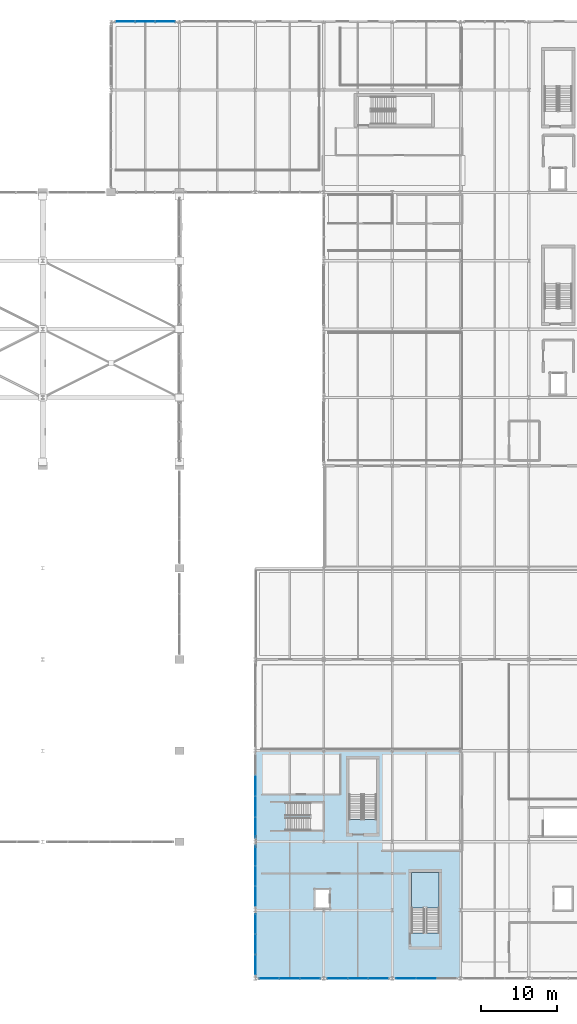
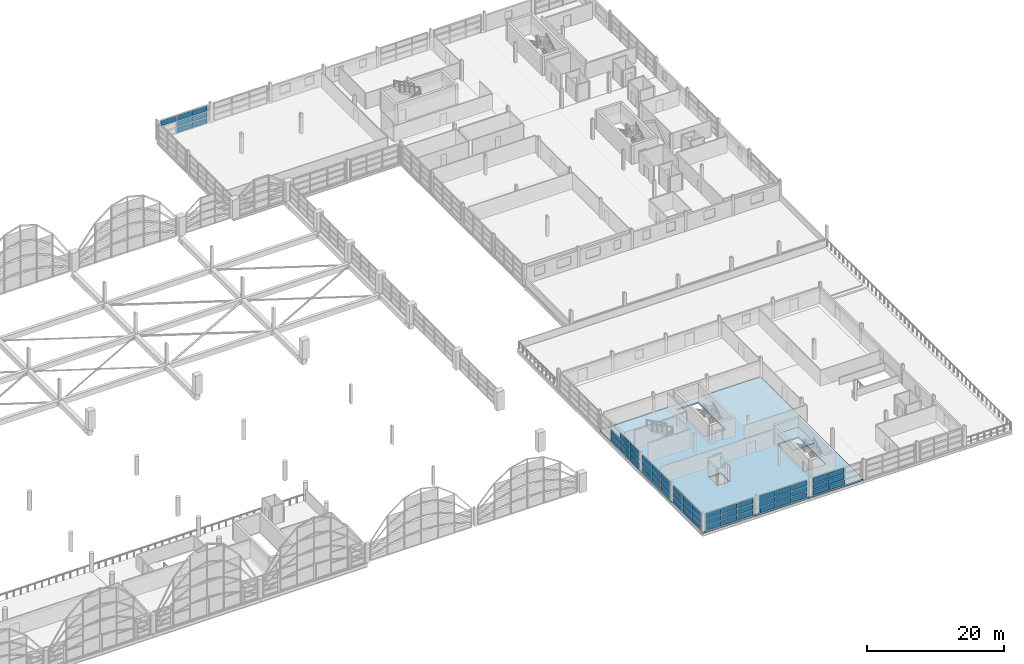
# One storey, part 93 of 116: 57 plates, 2 slabs, 8 elements without a shape of their own.
"""IFC4 building model written with IfcOpenShell, lengths in metres."""

import ifcopenshell
import ifcopenshell.guid

model = None  # the IFC model being written
_history = None  # IfcOwnerHistory: only IFC2X3 demands one
_inside = {}  # id of a spatial element -> (the spatial element, [elements in it])
_under = {}  # id of a project, library or spatial element -> (it, [spatial elements below it])
_declared = {}  # id of a project -> (the project, [libraries it declares])
_typed = {}  # id of a type object -> (the type object, [elements of that type])
_made_of = {}  # id of a material, layer set ... -> (it, [elements and type objects made of it])


def new_model(schema):
    """Start an empty IFC model of exactly this schema.

    Asked for "IFC4X3", IfcOpenShell would pick the latest addendum, in which some entities
    have other attributes; the version numbers below select the first issue.
    IFC2X3 requires an IfcOwnerHistory on every rooted entity: one is made here for all.
    """
    global model, _history
    if schema == "IFC4X3":
        model = ifcopenshell.file(schema_version=(4, 3, 0, 0))
    else:
        model = ifcopenshell.file(schema=schema)
    _inside.clear()
    _under.clear()
    _declared.clear()
    _typed.clear()
    _made_of.clear()
    _history = None
    if model.schema == "IFC2X3":
        org = make("IfcOrganization", Name="unknown")
        user = make(
            "IfcPersonAndOrganization",
            ThePerson=make("IfcPerson", FamilyName="unknown"),
            TheOrganization=org,
        )
        app = make(
            "IfcApplication",
            ApplicationDeveloper=org,
            Version="unknown",
            ApplicationFullName="unknown",
            ApplicationIdentifier="unknown",
        )
        _history = make(
            "IfcOwnerHistory",
            OwningUser=user,
            OwningApplication=app,
            ChangeAction="ADDED",
            CreationDate=0,
        )
    return model


def make(cls, **values):
    """One entity of the class cls with the attributes given. An attribute that is None is left unset."""
    return model.create_entity(
        cls, **{name: value for name, value in values.items() if value is not None}
    )


def rooted(cls, **values):
    """An entity with a GlobalId (a new one), such as an element, a storey or a relation."""
    return make(cls, GlobalId=ifcopenshell.guid.new(), OwnerHistory=_history, **values)


def si_unit(unit_type, name, prefix=None):
    """IfcSIUnit, for example si_unit("LENGTHUNIT", "METRE", prefix="MILLI")."""
    return make("IfcSIUnit", UnitType=unit_type, Prefix=prefix, Name=name)


def assignment(units):
    """IfcUnitAssignment: the units of a project."""
    return None if units is None else make("IfcUnitAssignment", Units=units)


def point(xyz):
    """IfcCartesianPoint."""
    return None if xyz is None else make("IfcCartesianPoint", Coordinates=xyz)


def direction(xyz):
    """IfcDirection."""
    return None if xyz is None else make("IfcDirection", DirectionRatios=xyz)


def frame(location, z_axis=None, x_axis=None):
    """IfcAxis2Placement3D, a coordinate frame: its origin and axes. An axis left out is left unset."""
    return make(
        "IfcAxis2Placement3D",
        Location=point(location),
        Axis=direction(z_axis),
        RefDirection=direction(x_axis),
    )


def frame_2d(location, x_axis=None):
    """IfcAxis2Placement2D, a coordinate frame in the plane: its origin and x axis."""
    return make(
        "IfcAxis2Placement2D", Location=point(location), RefDirection=direction(x_axis)
    )


def origin():
    """The frame at (0, 0, 0) with its axes left unset."""
    return frame((0.0, 0.0, 0.0))


def origin_2d():
    """The frame at (0, 0) in the plane with its x axis left unset."""
    return frame_2d((0.0, 0.0))


def place(relative_to, where):
    """IfcLocalPlacement: puts the frame where relative to a parent placement (None: the world)."""
    return make(
        "IfcLocalPlacement", PlacementRelTo=relative_to, RelativePlacement=where
    )


def context(
    kind, dimensions, precision=None, world=None, true_north=None, identifier=None
):
    """IfcGeometricRepresentationContext, for example the 3D "Model" context."""
    return make(
        "IfcGeometricRepresentationContext",
        ContextIdentifier=identifier,
        ContextType=kind,
        CoordinateSpaceDimension=dimensions,
        Precision=precision,
        WorldCoordinateSystem=world,
        TrueNorth=true_north,
    )


def subcontext(parent, identifier, kind, view, scale=None):
    """IfcGeometricRepresentationSubContext, for example "Body" below "Model"."""
    return make(
        "IfcGeometricRepresentationSubContext",
        ContextIdentifier=identifier,
        ContextType=kind,
        ParentContext=parent,
        TargetScale=scale,
        TargetView=view,
    )


def project(units=None, contexts=None):
    """IfcProject with its units and contexts."""
    return rooted(
        "IfcProject",
        Name="project",
        RepresentationContexts=contexts,
        UnitsInContext=assignment(units),
    )


def spatial(cls, under=None, at=None, **own):
    """A site, building, storey or space (cls), placed at a placement, below another one or the project."""
    s = rooted(cls, ObjectPlacement=at, **own)
    if under is not None:
        _under.setdefault(under.id(), (under, []))[1].append(s)
    return s


def polyline(points):
    """IfcPolyline through the points."""
    return make("IfcPolyline", Points=[point(p) for p in points])


def profile(cls, at=None, kind="AREA", **sizes):
    """A parametric profile (cls). Its sizes go by their IFC names, for example OverallWidth=200.0."""
    return make(cls, ProfileType=kind, Position=at, **sizes)


def rectangle(**sizes):
    """IfcRectangleProfileDef."""
    return profile("IfcRectangleProfileDef", **sizes)


def outline(outer, holes=None, kind="AREA"):
    """IfcArbitraryClosedProfileDef: a profile drawn as a closed curve; with holes, ...WithVoids."""
    if holes is None:
        return make("IfcArbitraryClosedProfileDef", ProfileType=kind, OuterCurve=outer)
    return make(
        "IfcArbitraryProfileDefWithVoids",
        ProfileType=kind,
        OuterCurve=outer,
        InnerCurves=holes,
    )


def extrude(swept, where, along, depth):
    """IfcExtrudedAreaSolid: the profile swept, set in the frame where, extruded along a direction by depth."""
    return make(
        "IfcExtrudedAreaSolid",
        SweptArea=swept,
        Position=where,
        ExtrudedDirection=direction(along),
        Depth=depth,
    )


def shape(context_of_items, identifier, shape_type, items):
    """IfcShapeRepresentation: the items that make up one representation, for example the "Body"."""
    return make(
        "IfcShapeRepresentation",
        ContextOfItems=context_of_items,
        RepresentationIdentifier=identifier,
        RepresentationType=shape_type,
        Items=items,
    )


def material(Name=None, Category=None):
    """IfcMaterial."""
    return make("IfcMaterial", Name=Name, Category=Category)


def layer(
    of_material, thickness, ventilated=None, Name=None, Category=None, Priority=None
):
    """IfcMaterialLayer: one layer of a wall or slab, of a material (None: an air gap)."""
    return make(
        "IfcMaterialLayer",
        Material=of_material,
        LayerThickness=thickness,
        IsVentilated=ventilated,
        Name=Name,
        Category=Category,
        Priority=Priority,
    )


def layer_set(layers, Name=None):
    """IfcMaterialLayerSet."""
    return make("IfcMaterialLayerSet", MaterialLayers=layers, LayerSetName=Name)


def made_of(thing, what):
    """Note that an element or type object is made of a material, layer set ...; save() writes the relation."""
    if what is not None:
        _made_of.setdefault(what.id(), (what, []))[1].append(thing)
    return thing


def type_object(cls, material=None, **own):
    """A type object (cls), such as IfcWallType, which elements share."""
    return made_of(rooted(cls, **own), material)


def element(
    cls,
    number,
    at=None,
    inside=None,
    cuts=None,
    type_object=None,
    material=None,
    context=None,
    identifier="Body",
    shape_type=None,
    held_by="IfcProductDefinitionShape",
    body=None,
    shapes=None,
    **own,
):
    """One element of the class cls, such as IfcWall. Its Tag is "e" and its number.

    at: its placement. inside: the storey or other place that contains it. cuts: it is an
    opening in that element (IfcRelVoidsElement). A single representation is given by context,
    identifier, shape_type and body (its items); several are given by shapes. held_by: the class
    of the entity that holds the representations. save() writes the other relations.
    """
    e = rooted(cls, Tag="e%d" % number, ObjectPlacement=at, **own)
    if body is not None:
        shapes = [shape(context, identifier, shape_type, body)]
    if shapes is not None:
        e.Representation = make(held_by, Representations=shapes)
    if inside is not None:
        _inside.setdefault(inside.id(), (inside, []))[1].append(e)
    if cuts is not None:
        rooted(
            "IfcRelVoidsElement", RelatingBuildingElement=cuts, RelatedOpeningElement=e
        )
    if type_object is not None:
        _typed.setdefault(type_object.id(), (type_object, []))[1].append(e)
    return made_of(e, material)


def aggregate(whole, parts):
    """IfcRelAggregates: a whole, such as a stair, and the parts it consists of."""
    return rooted("IfcRelAggregates", RelatingObject=whole, RelatedObjects=parts)


def save(model, path):
    """Write the relations noted so far, then the file.

    IfcRelAggregates (storeys below a building ...), IfcRelContainedInSpatialStructure (elements
    in a storey), IfcRelDefinesByType, IfcRelAssociatesMaterial and IfcRelDeclares: one each for
    every whole, place, type object, material and project.
    """
    for whole, parts in _under.values():
        aggregate(whole, parts)
    for where, things in _inside.values():
        rooted(
            "IfcRelContainedInSpatialStructure",
            RelatedElements=things,
            RelatingStructure=where,
        )
    for kind, things in _typed.values():
        rooted("IfcRelDefinesByType", RelatedObjects=things, RelatingType=kind)
    for what, things in _made_of.values():
        rooted("IfcRelAssociatesMaterial", RelatedObjects=things, RelatingMaterial=what)
    for by, libraries in _declared.values():
        rooted("IfcRelDeclares", RelatingContext=by, RelatedDefinitions=libraries)
    model.write(path)


model = new_model("IFC4")

# Units and contexts
model_context = context("Model", 3, precision=1e-05, world=origin(), true_north=direction((0.0, 1.0)))
body_context = subcontext(model_context, "Body", "Model", "MODEL_VIEW")
ifc_project = project(units=[si_unit("LENGTHUNIT", "METRE"), si_unit("AREAUNIT", "SQUARE_METRE"), si_unit("VOLUMEUNIT", "CUBIC_METRE"), si_unit("PLANEANGLEUNIT", "RADIAN"), si_unit("MASSUNIT", "GRAM", prefix="KILO")], contexts=[model_context])

# Site, building, storey
site_placement = place(None, origin())
site = spatial("IfcSite", under=ifc_project, at=site_placement, CompositionType="ELEMENT")
building_placement = place(site_placement, origin())
building = spatial("IfcBuilding", under=site, at=building_placement, Name="Chuanluo Vaults Station", CompositionType="ELEMENT")
storey_placement = place(building_placement, frame((0.0, 0.0, 10.800048828125)))
storey = spatial("IfcBuildingStorey", under=building, at=storey_placement, Name="L02", CompositionType="ELEMENT", Elevation=10.800048828125)

# Curtain wall, plates
ifc_material_1 = material(Name="Anodised aluminium 6063-T6", Category="aluminium")
curtain_wall_type_1 = type_object("IfcCurtainWallType", Name="CW-SYS-21", PredefinedType="NOTDEFINED", material=ifc_material_1)
curtain_wall_1_placement = place(storey_placement, origin())
curtain_wall_1 = element("IfcCurtainWall", 1, at=curtain_wall_1_placement, inside=storey, type_object=curtain_wall_type_1, Name="Retail pavilion L02 facade CW", PredefinedType="NOTDEFINED")
ifc_material_2 = material(Name="Ceramic-fritted spandrel glass", Category="glass")
ifc_layer_1 = layer(ifc_material_2, 0.06396484375)
ifc_layer_set_1 = layer_set([ifc_layer_1], Name="Ceramic-fritted spandrel glass")
plate_type_1 = type_object("IfcPlateType", Name="CWP-SPN-42", PredefinedType="SHEET", material=ifc_layer_set_1)
plate_1_placement = place(storey_placement, frame((136.0, 1.816650390625, 0.079833984375), z_axis=(0.0, 0.0, 1.0), x_axis=(0.0, 1.0, 0.0)))
plate_1 = element("IfcPlate", 2, at=plate_1_placement, type_object=plate_type_1, Name="Retail pavilion L02 facade CW glazed panel 1.1", PredefinedType="SHEET", context=body_context, shape_type="SweptSolid", body=[
    extrude(rectangle(XDim=2.523193359375, YDim=0.06396484375, at=origin_2d()), origin(), (0.0, 0.0, 1.0), 0.90673828125),
])
plate_2_placement = place(storey_placement, frame((136.0, 4.5, 0.079833984375), z_axis=(0.0, 0.0, 1.0), x_axis=(0.0, 1.0, 0.0)))
plate_2 = element("IfcPlate", 3, at=plate_2_placement, type_object=plate_type_1, Name="Retail pavilion L02 facade CW glazed panel 2.1", PredefinedType="SHEET", context=body_context, shape_type="SweptSolid", body=[
    extrude(rectangle(XDim=2.523193359375, YDim=0.06396484375, at=origin_2d()), origin(), (0.0, 0.0, 1.0), 0.90673828125),
])
plate_3_placement = place(storey_placement, frame((136.0, 7.183349609375, 0.079833984375), z_axis=(0.0, 0.0, 1.0), x_axis=(0.0, 1.0, 0.0)))
plate_3 = element("IfcPlate", 4, at=plate_3_placement, type_object=plate_type_1, Name="Retail pavilion L02 facade CW glazed panel 3.1", PredefinedType="SHEET", context=body_context, shape_type="SweptSolid", body=[
    extrude(rectangle(XDim=2.523193359375, YDim=0.06396484375, at=origin_2d()), origin(), (0.0, 0.0, 1.0), 0.90673828125),
])

ifc_material_3 = material(Name="Anodised aluminium 6063-T6", Category="aluminium")
curtain_wall_type_2 = type_object("IfcCurtainWallType", Name="CW-SYS-23", PredefinedType="NOTDEFINED", material=ifc_material_3)
curtain_wall_2_placement = place(storey_placement, origin())
curtain_wall_2 = element("IfcCurtainWall", 5, at=curtain_wall_2_placement, inside=storey, type_object=curtain_wall_type_2, Name="Retail pavilion L02 facade CW", PredefinedType="NOTDEFINED")
plate_4_placement = place(storey_placement, frame((136.0, 19.856201171875, 0.079833984375), z_axis=(0.0, 0.0, 1.0), x_axis=(0.0, 1.0, 0.0)))
plate_4 = element("IfcPlate", 6, at=plate_4_placement, type_object=plate_type_1, Name="Retail pavilion L02 facade CW glazed panel 1.1", PredefinedType="SHEET", context=body_context, shape_type="SweptSolid", body=[
    extrude(rectangle(XDim=2.6025390625, YDim=0.06396484375, at=origin_2d()), origin(), (0.0, 0.0, 1.0), 0.90673828125),
])
plate_5_placement = place(storey_placement, frame((136.0, 22.61865234375, 0.079833984375), z_axis=(0.0, 0.0, 1.0), x_axis=(0.0, 1.0, 0.0)))
plate_5 = element("IfcPlate", 7, at=plate_5_placement, type_object=plate_type_1, Name="Retail pavilion L02 facade CW glazed panel 2.1", PredefinedType="SHEET", context=body_context, shape_type="SweptSolid", body=[
    extrude(rectangle(XDim=2.6025390625, YDim=0.06396484375, at=origin_2d()), origin(), (0.0, 0.0, 1.0), 0.90673828125),
])
plate_6_placement = place(storey_placement, frame((136.0, 25.38134765625, 0.079833984375), z_axis=(0.0, 0.0, 1.0), x_axis=(0.0, 1.0, 0.0)))
plate_6 = element("IfcPlate", 8, at=plate_6_placement, type_object=plate_type_1, Name="Retail pavilion L02 facade CW glazed panel 3.1", PredefinedType="SHEET", context=body_context, shape_type="SweptSolid", body=[
    extrude(rectangle(XDim=2.6025390625, YDim=0.06396484375, at=origin_2d()), origin(), (0.0, 0.0, 1.0), 0.90673828125),
])

ifc_material_4 = material(Name="Anodised aluminium 6063-T6", Category="aluminium")
curtain_wall_type_3 = type_object("IfcCurtainWallType", Name="CW-SYS-25", PredefinedType="NOTDEFINED", material=ifc_material_4)
curtain_wall_3_placement = place(storey_placement, origin())
curtain_wall_3 = element("IfcCurtainWall", 9, at=curtain_wall_3_placement, inside=storey, type_object=curtain_wall_type_3, Name="Retail pavilion L02 facade CW", PredefinedType="NOTDEFINED")
plate_7_placement = place(storey_placement, frame((143.183349609375, 0.0, 0.079833984375), z_axis=(0.0, 0.0, 1.0), x_axis=(-1.0, 0.0, 0.0)))
plate_7 = element("IfcPlate", 10, at=plate_7_placement, type_object=plate_type_1, Name="Retail pavilion L02 facade CW glazed panel 1.1", PredefinedType="SHEET", context=body_context, shape_type="SweptSolid", body=[
    extrude(rectangle(XDim=2.523193359375, YDim=0.06396484375, at=origin_2d()), origin(), (0.0, 0.0, 1.0), 0.90673828125),
])
plate_8_placement = place(storey_placement, frame((140.5, 0.0, 0.079833984375), z_axis=(0.0, 0.0, 1.0), x_axis=(-1.0, 0.0, 0.0)))
plate_8 = element("IfcPlate", 11, at=plate_8_placement, type_object=plate_type_1, Name="Retail pavilion L02 facade CW glazed panel 2.1", PredefinedType="SHEET", context=body_context, shape_type="SweptSolid", body=[
    extrude(rectangle(XDim=2.523193359375, YDim=0.06396484375, at=origin_2d()), origin(), (0.0, 0.0, 1.0), 0.90673828125),
])
plate_9_placement = place(storey_placement, frame((137.816650390625, 0.0, 0.079833984375), z_axis=(0.0, 0.0, 1.0), x_axis=(-1.0, 0.0, 0.0)))
plate_9 = element("IfcPlate", 12, at=plate_9_placement, type_object=plate_type_1, Name="Retail pavilion L02 facade CW glazed panel 3.1", PredefinedType="SHEET", context=body_context, shape_type="SweptSolid", body=[
    extrude(rectangle(XDim=2.523193359375, YDim=0.06396484375, at=origin_2d()), origin(), (0.0, 0.0, 1.0), 0.90673828125),
])

ifc_material_5 = material(Name="Anodised aluminium 6063-T6", Category="aluminium")
curtain_wall_type_4 = type_object("IfcCurtainWallType", Name="CW-SYS-27", PredefinedType="NOTDEFINED", material=ifc_material_5)
curtain_wall_4_placement = place(storey_placement, origin())
curtain_wall_4 = element("IfcCurtainWall", 13, at=curtain_wall_4_placement, inside=storey, type_object=curtain_wall_type_4, Name="Retail pavilion L02 facade CW", PredefinedType="NOTDEFINED")
plate_10_placement = place(storey_placement, frame((158.5, 0.0, 0.079833984375), z_axis=(0.0, 0.0, 1.0), x_axis=(-1.0, 0.0, 0.0)))
plate_10 = element("IfcPlate", 14, at=plate_10_placement, type_object=plate_type_1, Name="Retail pavilion L02 facade CW glazed panel 2.1", PredefinedType="SHEET", context=body_context, shape_type="SweptSolid", body=[
    extrude(rectangle(XDim=2.523193359375, YDim=0.06396484375, at=origin_2d()), origin(), (0.0, 0.0, 1.0), 0.90673828125),
])
plate_11_placement = place(storey_placement, frame((155.816650390625, 0.0, 0.079833984375), z_axis=(0.0, 0.0, 1.0), x_axis=(-1.0, 0.0, 0.0)))
plate_11 = element("IfcPlate", 15, at=plate_11_placement, type_object=plate_type_1, Name="Retail pavilion L02 facade CW glazed panel 3.1", PredefinedType="SHEET", context=body_context, shape_type="SweptSolid", body=[
    extrude(rectangle(XDim=2.523193359375, YDim=0.06396484375, at=origin_2d()), origin(), (0.0, 0.0, 1.0), 0.90673828125),
])

ifc_material_6 = material(Name="Anodised aluminium 6063-T6", Category="aluminium")
curtain_wall_type_5 = type_object("IfcCurtainWallType", Name="CW-SYS-22", PredefinedType="NOTDEFINED", material=ifc_material_6)
curtain_wall_5_placement = place(storey_placement, origin())
curtain_wall_5 = element("IfcCurtainWall", 16, at=curtain_wall_5_placement, inside=storey, type_object=curtain_wall_type_5, Name="Retail pavilion L02 facade CW", PredefinedType="NOTDEFINED")
ifc_material_7 = material(Name="Ceramic-fritted spandrel glass", Category="glass")
ifc_layer_2 = layer(ifc_material_7, 0.070068359375)
ifc_layer_set_2 = layer_set([ifc_layer_2], Name="Ceramic-fritted spandrel glass")
plate_type_2 = type_object("IfcPlateType", Name="CWP-SPN-50", PredefinedType="SHEET", material=ifc_layer_set_2)
plate_12_placement = place(storey_placement, frame((136.0, 10.816650390625, 0.079833984375), z_axis=(0.0, 0.0, 1.0), x_axis=(0.0, 1.0, 0.0)))
plate_12 = element("IfcPlate", 17, at=plate_12_placement, type_object=plate_type_2, Name="Retail pavilion L02 facade CW glazed panel 1.1", PredefinedType="SHEET", context=body_context, shape_type="SweptSolid", body=[
    extrude(rectangle(XDim=2.523193359375, YDim=0.070068359375, at=origin_2d()), origin(), (0.0, 0.0, 1.0), 0.90673828125),
])
plate_13_placement = place(storey_placement, frame((136.0, 13.5, 0.079833984375), z_axis=(0.0, 0.0, 1.0), x_axis=(0.0, 1.0, 0.0)))
plate_13 = element("IfcPlate", 18, at=plate_13_placement, type_object=plate_type_2, Name="Retail pavilion L02 facade CW glazed panel 2.1", PredefinedType="SHEET", context=body_context, shape_type="SweptSolid", body=[
    extrude(rectangle(XDim=2.523193359375, YDim=0.070068359375, at=origin_2d()), origin(), (0.0, 0.0, 1.0), 0.90673828125),
])
plate_14_placement = place(storey_placement, frame((136.0, 16.183349609375, 0.079833984375), z_axis=(0.0, 0.0, 1.0), x_axis=(0.0, 1.0, 0.0)))
plate_14 = element("IfcPlate", 19, at=plate_14_placement, type_object=plate_type_2, Name="Retail pavilion L02 facade CW glazed panel 3.1", PredefinedType="SHEET", context=body_context, shape_type="SweptSolid", body=[
    extrude(rectangle(XDim=2.523193359375, YDim=0.070068359375, at=origin_2d()), origin(), (0.0, 0.0, 1.0), 0.90673828125),
])

ifc_material_8 = material(Name="Anodised aluminium 6063-T6", Category="aluminium")
curtain_wall_type_6 = type_object("IfcCurtainWallType", Name="CW-SYS-26", PredefinedType="NOTDEFINED", material=ifc_material_8)
curtain_wall_6_placement = place(storey_placement, origin())
curtain_wall_6 = element("IfcCurtainWall", 20, at=curtain_wall_6_placement, inside=storey, type_object=curtain_wall_type_6, Name="Retail pavilion L02 facade CW", PredefinedType="NOTDEFINED")
plate_15_placement = place(storey_placement, frame((152.183349609375, 0.0, 0.079833984375), z_axis=(0.0, 0.0, 1.0), x_axis=(-1.0, 0.0, 0.0)))
plate_15 = element("IfcPlate", 21, at=plate_15_placement, type_object=plate_type_2, Name="Retail pavilion L02 facade CW glazed panel 1.1", PredefinedType="SHEET", context=body_context, shape_type="SweptSolid", body=[
    extrude(rectangle(XDim=2.523193359375, YDim=0.070068359375, at=origin_2d()), origin(), (0.0, 0.0, 1.0), 0.90673828125),
])
plate_16_placement = place(storey_placement, frame((149.5, 0.0, 0.079833984375), z_axis=(0.0, 0.0, 1.0), x_axis=(-1.0, 0.0, 0.0)))
plate_16 = element("IfcPlate", 22, at=plate_16_placement, type_object=plate_type_2, Name="Retail pavilion L02 facade CW glazed panel 2.1", PredefinedType="SHEET", context=body_context, shape_type="SweptSolid", body=[
    extrude(rectangle(XDim=2.523193359375, YDim=0.070068359375, at=origin_2d()), origin(), (0.0, 0.0, 1.0), 0.90673828125),
])
plate_17_placement = place(storey_placement, frame((146.816650390625, 0.0, 0.079833984375), z_axis=(0.0, 0.0, 1.0), x_axis=(-1.0, 0.0, 0.0)))
plate_17 = element("IfcPlate", 23, at=plate_17_placement, type_object=plate_type_2, Name="Retail pavilion L02 facade CW glazed panel 3.1", PredefinedType="SHEET", context=body_context, shape_type="SweptSolid", body=[
    extrude(rectangle(XDim=2.523193359375, YDim=0.070068359375, at=origin_2d()), origin(), (0.0, 0.0, 1.0), 0.90673828125),
])

ifc_material_9 = material(Name="Anodised aluminium 6063-T6", Category="aluminium")
curtain_wall_type_7 = type_object("IfcCurtainWallType", Name="CW-SYS-10", PredefinedType="NOTDEFINED", material=ifc_material_9)
curtain_wall_7_placement = place(storey_placement, origin())
curtain_wall_7 = element("IfcCurtainWall", 24, at=curtain_wall_7_placement, inside=storey, type_object=curtain_wall_type_7, Name="Operations L02 facade CW", PredefinedType="NOTDEFINED")
plate_18_placement = place(storey_placement, frame((121.5, 126.0, 0.079833984375), z_axis=(0.0, 0.0, 1.0), x_axis=(1.0, 0.0, 0.0)))
plate_18 = element("IfcPlate", 25, at=plate_18_placement, type_object=plate_type_2, Name="Operations L02 facade CW glazed panel 2.1", PredefinedType="SHEET", context=body_context, shape_type="SweptSolid", body=[
    extrude(rectangle(XDim=2.489990234375, YDim=0.070068359375, at=origin_2d()), origin(), (0.0, 0.0, 1.0), 0.90673828125),
])
plate_19_placement = place(storey_placement, frame((124.14990234375, 126.0, 0.079833984375), z_axis=(0.0, 0.0, 1.0), x_axis=(1.0, 0.0, 0.0)))
plate_19 = element("IfcPlate", 26, at=plate_19_placement, type_object=plate_type_2, Name="Operations L02 facade CW glazed panel 3.1", PredefinedType="SHEET", context=body_context, shape_type="SweptSolid", body=[
    extrude(rectangle(XDim=2.489990234375, YDim=0.070068359375, at=origin_2d()), origin(), (0.0, 0.0, 1.0), 0.90673828125),
])

# Plate
ifc_material_10 = material(Name="Double-silver Low-E laminated glass", Category="glass")
ifc_layer_3 = layer(ifc_material_10, 0.048095703125)
ifc_layer_set_3 = layer_set([ifc_layer_3], Name="Double-silver Low-E laminated glass")
plate_type_3 = type_object("IfcPlateType", Name="CWP-VIS-32", PredefinedType="CURTAIN_PANEL", material=ifc_layer_set_3)
plate_20_placement = place(storey_placement, frame((136.0, 19.856201171875, 1.146484375), z_axis=(0.0, 0.0, 1.0), x_axis=(0.0, 1.0, 0.0)))
plate_20 = element("IfcPlate", 27, at=plate_20_placement, type_object=plate_type_3, Name="Retail pavilion L02 facade CW glazed panel 1.2", PredefinedType="CURTAIN_PANEL", context=body_context, shape_type="SweptSolid", body=[
    extrude(rectangle(XDim=2.6025390625, YDim=0.048095703125, at=origin_2d()), origin(), (0.0, 0.0, 1.0), 0.906494140625),
])

plate_21_placement = place(storey_placement, frame((136.0, 19.856201171875, 2.213134765625), z_axis=(0.0, 0.0, 1.0), x_axis=(0.0, 1.0, 0.0)))
plate_21 = element("IfcPlate", 28, at=plate_21_placement, type_object=plate_type_3, Name="Retail pavilion L02 facade CW glazed panel 1.3", PredefinedType="CURTAIN_PANEL", context=body_context, shape_type="SweptSolid", body=[
    extrude(rectangle(XDim=2.6025390625, YDim=0.048095703125, at=origin_2d()), origin(), (0.0, 0.0, 1.0), 0.90673828125),
])

plate_22_placement = place(storey_placement, frame((136.0, 22.61865234375, 1.146484375), z_axis=(0.0, 0.0, 1.0), x_axis=(0.0, 1.0, 0.0)))
plate_22 = element("IfcPlate", 29, at=plate_22_placement, type_object=plate_type_3, Name="Retail pavilion L02 facade CW glazed panel 2.2", PredefinedType="CURTAIN_PANEL", context=body_context, shape_type="SweptSolid", body=[
    extrude(rectangle(XDim=2.6025390625, YDim=0.048095703125, at=origin_2d()), origin(), (0.0, 0.0, 1.0), 0.906494140625),
])

plate_23_placement = place(storey_placement, frame((136.0, 22.61865234375, 2.213134765625), z_axis=(0.0, 0.0, 1.0), x_axis=(0.0, 1.0, 0.0)))
plate_23 = element("IfcPlate", 30, at=plate_23_placement, type_object=plate_type_3, Name="Retail pavilion L02 facade CW glazed panel 2.3", PredefinedType="CURTAIN_PANEL", context=body_context, shape_type="SweptSolid", body=[
    extrude(rectangle(XDim=2.6025390625, YDim=0.048095703125, at=origin_2d()), origin(), (0.0, 0.0, 1.0), 0.90673828125),
])

plate_24_placement = place(storey_placement, frame((136.0, 25.38134765625, 1.146484375), z_axis=(0.0, 0.0, 1.0), x_axis=(0.0, 1.0, 0.0)))
plate_24 = element("IfcPlate", 31, at=plate_24_placement, type_object=plate_type_3, Name="Retail pavilion L02 facade CW glazed panel 3.2", PredefinedType="CURTAIN_PANEL", context=body_context, shape_type="SweptSolid", body=[
    extrude(rectangle(XDim=2.6025390625, YDim=0.048095703125, at=origin_2d()), origin(), (0.0, 0.0, 1.0), 0.906494140625),
])

aggregate(curtain_wall_2, [plate_4, plate_20, plate_21, plate_5, plate_22, plate_23, plate_6, plate_24])

plate_25_placement = place(storey_placement, frame((158.5, 0.0, 1.146484375), z_axis=(0.0, 0.0, 1.0), x_axis=(-1.0, 0.0, 0.0)))
plate_25 = element("IfcPlate", 32, at=plate_25_placement, type_object=plate_type_3, Name="Retail pavilion L02 facade CW glazed panel 2.2", PredefinedType="CURTAIN_PANEL", context=body_context, shape_type="SweptSolid", body=[
    extrude(rectangle(XDim=2.523193359375, YDim=0.048095703125, at=origin_2d()), origin(), (0.0, 0.0, 1.0), 0.906494140625),
])

plate_26_placement = place(storey_placement, frame((158.5, 0.0, 2.213134765625), z_axis=(0.0, 0.0, 1.0), x_axis=(-1.0, 0.0, 0.0)))
plate_26 = element("IfcPlate", 33, at=plate_26_placement, type_object=plate_type_3, Name="Retail pavilion L02 facade CW glazed panel 2.3", PredefinedType="CURTAIN_PANEL", context=body_context, shape_type="SweptSolid", body=[
    extrude(rectangle(XDim=2.523193359375, YDim=0.048095703125, at=origin_2d()), origin(), (0.0, 0.0, 1.0), 0.90673828125),
])

plate_27_placement = place(storey_placement, frame((155.816650390625, 0.0, 1.146484375), z_axis=(0.0, 0.0, 1.0), x_axis=(-1.0, 0.0, 0.0)))
plate_27 = element("IfcPlate", 34, at=plate_27_placement, type_object=plate_type_3, Name="Retail pavilion L02 facade CW glazed panel 3.2", PredefinedType="CURTAIN_PANEL", context=body_context, shape_type="SweptSolid", body=[
    extrude(rectangle(XDim=2.523193359375, YDim=0.048095703125, at=origin_2d()), origin(), (0.0, 0.0, 1.0), 0.906494140625),
])

plate_28_placement = place(storey_placement, frame((155.816650390625, 0.0, 2.213134765625), z_axis=(0.0, 0.0, 1.0), x_axis=(-1.0, 0.0, 0.0)))
plate_28 = element("IfcPlate", 35, at=plate_28_placement, type_object=plate_type_3, Name="Retail pavilion L02 facade CW glazed panel 3.3", PredefinedType="CURTAIN_PANEL", context=body_context, shape_type="SweptSolid", body=[
    extrude(rectangle(XDim=2.523193359375, YDim=0.048095703125, at=origin_2d()), origin(), (0.0, 0.0, 1.0), 0.90673828125),
])

aggregate(curtain_wall_4, [plate_10, plate_25, plate_26, plate_11, plate_27, plate_28])

ifc_material_11 = material(Name="Double-silver Low-E laminated glass", Category="glass")
ifc_layer_4 = layer(ifc_material_11, 0.053955078125)
ifc_layer_set_4 = layer_set([ifc_layer_4], Name="Double-silver Low-E laminated glass")
plate_type_4 = type_object("IfcPlateType", Name="CWP-VIS-36", PredefinedType="CURTAIN_PANEL", material=ifc_layer_set_4)
plate_29_placement = place(storey_placement, frame((136.0, 10.816650390625, 1.146484375), z_axis=(0.0, 0.0, 1.0), x_axis=(0.0, 1.0, 0.0)))
plate_29 = element("IfcPlate", 36, at=plate_29_placement, type_object=plate_type_4, Name="Retail pavilion L02 facade CW glazed panel 1.2", PredefinedType="CURTAIN_PANEL", context=body_context, shape_type="SweptSolid", body=[
    extrude(rectangle(XDim=2.523193359375, YDim=0.053955078125, at=origin_2d()), origin(), (0.0, 0.0, 1.0), 0.906494140625),
])

plate_30_placement = place(storey_placement, frame((136.0, 10.816650390625, 2.213134765625), z_axis=(0.0, 0.0, 1.0), x_axis=(0.0, 1.0, 0.0)))
plate_30 = element("IfcPlate", 37, at=plate_30_placement, type_object=plate_type_4, Name="Retail pavilion L02 facade CW glazed panel 1.3", PredefinedType="CURTAIN_PANEL", context=body_context, shape_type="SweptSolid", body=[
    extrude(rectangle(XDim=2.523193359375, YDim=0.053955078125, at=origin_2d()), origin(), (0.0, 0.0, 1.0), 0.90673828125),
])

plate_31_placement = place(storey_placement, frame((136.0, 13.5, 1.146484375), z_axis=(0.0, 0.0, 1.0), x_axis=(0.0, 1.0, 0.0)))
plate_31 = element("IfcPlate", 38, at=plate_31_placement, type_object=plate_type_4, Name="Retail pavilion L02 facade CW glazed panel 2.2", PredefinedType="CURTAIN_PANEL", context=body_context, shape_type="SweptSolid", body=[
    extrude(rectangle(XDim=2.523193359375, YDim=0.053955078125, at=origin_2d()), origin(), (0.0, 0.0, 1.0), 0.906494140625),
])

plate_32_placement = place(storey_placement, frame((136.0, 13.5, 2.213134765625), z_axis=(0.0, 0.0, 1.0), x_axis=(0.0, 1.0, 0.0)))
plate_32 = element("IfcPlate", 39, at=plate_32_placement, type_object=plate_type_4, Name="Retail pavilion L02 facade CW glazed panel 2.3", PredefinedType="CURTAIN_PANEL", context=body_context, shape_type="SweptSolid", body=[
    extrude(rectangle(XDim=2.523193359375, YDim=0.053955078125, at=origin_2d()), origin(), (0.0, 0.0, 1.0), 0.90673828125),
])

plate_33_placement = place(storey_placement, frame((136.0, 16.183349609375, 1.146484375), z_axis=(0.0, 0.0, 1.0), x_axis=(0.0, 1.0, 0.0)))
plate_33 = element("IfcPlate", 40, at=plate_33_placement, type_object=plate_type_4, Name="Retail pavilion L02 facade CW glazed panel 3.2", PredefinedType="CURTAIN_PANEL", context=body_context, shape_type="SweptSolid", body=[
    extrude(rectangle(XDim=2.523193359375, YDim=0.053955078125, at=origin_2d()), origin(), (0.0, 0.0, 1.0), 0.906494140625),
])

plate_34_placement = place(storey_placement, frame((136.0, 16.183349609375, 2.213134765625), z_axis=(0.0, 0.0, 1.0), x_axis=(0.0, 1.0, 0.0)))
plate_34 = element("IfcPlate", 41, at=plate_34_placement, type_object=plate_type_4, Name="Retail pavilion L02 facade CW glazed panel 3.3", PredefinedType="CURTAIN_PANEL", context=body_context, shape_type="SweptSolid", body=[
    extrude(rectangle(XDim=2.523193359375, YDim=0.053955078125, at=origin_2d()), origin(), (0.0, 0.0, 1.0), 0.90673828125),
])

aggregate(curtain_wall_5, [plate_12, plate_29, plate_30, plate_13, plate_31, plate_32, plate_14, plate_33, plate_34])

plate_35_placement = place(storey_placement, frame((152.183349609375, 0.0, 1.146484375), z_axis=(0.0, 0.0, 1.0), x_axis=(-1.0, 0.0, 0.0)))
plate_35 = element("IfcPlate", 42, at=plate_35_placement, type_object=plate_type_4, Name="Retail pavilion L02 facade CW glazed panel 1.2", PredefinedType="CURTAIN_PANEL", context=body_context, shape_type="SweptSolid", body=[
    extrude(rectangle(XDim=2.523193359375, YDim=0.053955078125, at=origin_2d()), origin(), (0.0, 0.0, 1.0), 0.906494140625),
])

plate_36_placement = place(storey_placement, frame((152.183349609375, 0.0, 2.213134765625), z_axis=(0.0, 0.0, 1.0), x_axis=(-1.0, 0.0, 0.0)))
plate_36 = element("IfcPlate", 43, at=plate_36_placement, type_object=plate_type_4, Name="Retail pavilion L02 facade CW glazed panel 1.3", PredefinedType="CURTAIN_PANEL", context=body_context, shape_type="SweptSolid", body=[
    extrude(rectangle(XDim=2.523193359375, YDim=0.053955078125, at=origin_2d()), origin(), (0.0, 0.0, 1.0), 0.90673828125),
])

plate_37_placement = place(storey_placement, frame((149.5, 0.0, 1.146484375), z_axis=(0.0, 0.0, 1.0), x_axis=(-1.0, 0.0, 0.0)))
plate_37 = element("IfcPlate", 44, at=plate_37_placement, type_object=plate_type_4, Name="Retail pavilion L02 facade CW glazed panel 2.2", PredefinedType="CURTAIN_PANEL", context=body_context, shape_type="SweptSolid", body=[
    extrude(rectangle(XDim=2.523193359375, YDim=0.053955078125, at=origin_2d()), origin(), (0.0, 0.0, 1.0), 0.906494140625),
])

plate_38_placement = place(storey_placement, frame((149.5, 0.0, 2.213134765625), z_axis=(0.0, 0.0, 1.0), x_axis=(-1.0, 0.0, 0.0)))
plate_38 = element("IfcPlate", 45, at=plate_38_placement, type_object=plate_type_4, Name="Retail pavilion L02 facade CW glazed panel 2.3", PredefinedType="CURTAIN_PANEL", context=body_context, shape_type="SweptSolid", body=[
    extrude(rectangle(XDim=2.523193359375, YDim=0.053955078125, at=origin_2d()), origin(), (0.0, 0.0, 1.0), 0.90673828125),
])

plate_39_placement = place(storey_placement, frame((146.816650390625, 0.0, 1.146484375), z_axis=(0.0, 0.0, 1.0), x_axis=(-1.0, 0.0, 0.0)))
plate_39 = element("IfcPlate", 46, at=plate_39_placement, type_object=plate_type_4, Name="Retail pavilion L02 facade CW glazed panel 3.2", PredefinedType="CURTAIN_PANEL", context=body_context, shape_type="SweptSolid", body=[
    extrude(rectangle(XDim=2.523193359375, YDim=0.053955078125, at=origin_2d()), origin(), (0.0, 0.0, 1.0), 0.906494140625),
])

plate_40_placement = place(storey_placement, frame((146.816650390625, 0.0, 2.213134765625), z_axis=(0.0, 0.0, 1.0), x_axis=(-1.0, 0.0, 0.0)))
plate_40 = element("IfcPlate", 47, at=plate_40_placement, type_object=plate_type_4, Name="Retail pavilion L02 facade CW glazed panel 3.3", PredefinedType="CURTAIN_PANEL", context=body_context, shape_type="SweptSolid", body=[
    extrude(rectangle(XDim=2.523193359375, YDim=0.053955078125, at=origin_2d()), origin(), (0.0, 0.0, 1.0), 0.90673828125),
])

aggregate(curtain_wall_6, [plate_15, plate_35, plate_36, plate_16, plate_37, plate_38, plate_17, plate_39, plate_40])

plate_41_placement = place(storey_placement, frame((118.85009765625, 126.0, 2.213134765625), z_axis=(0.0, 0.0, 1.0), x_axis=(1.0, 0.0, 0.0)))
plate_41 = element("IfcPlate", 48, at=plate_41_placement, type_object=plate_type_4, Name="Operations L02 facade CW glazed panel 1.3", PredefinedType="CURTAIN_PANEL", context=body_context, shape_type="SweptSolid", body=[
    extrude(rectangle(XDim=2.489990234375, YDim=0.053955078125, at=origin_2d()), origin(), (0.0, 0.0, 1.0), 0.90673828125),
])

plate_42_placement = place(storey_placement, frame((121.5, 126.0, 1.146484375), z_axis=(0.0, 0.0, 1.0), x_axis=(1.0, 0.0, 0.0)))
plate_42 = element("IfcPlate", 49, at=plate_42_placement, type_object=plate_type_4, Name="Operations L02 facade CW glazed panel 2.2", PredefinedType="CURTAIN_PANEL", context=body_context, shape_type="SweptSolid", body=[
    extrude(rectangle(XDim=2.489990234375, YDim=0.053955078125, at=origin_2d()), origin(), (0.0, 0.0, 1.0), 0.906494140625),
])

plate_43_placement = place(storey_placement, frame((121.5, 126.0, 2.213134765625), z_axis=(0.0, 0.0, 1.0), x_axis=(1.0, 0.0, 0.0)))
plate_43 = element("IfcPlate", 50, at=plate_43_placement, type_object=plate_type_4, Name="Operations L02 facade CW glazed panel 2.3", PredefinedType="CURTAIN_PANEL", context=body_context, shape_type="SweptSolid", body=[
    extrude(rectangle(XDim=2.489990234375, YDim=0.053955078125, at=origin_2d()), origin(), (0.0, 0.0, 1.0), 0.90673828125),
])

plate_44_placement = place(storey_placement, frame((124.14990234375, 126.0, 1.146484375), z_axis=(0.0, 0.0, 1.0), x_axis=(1.0, 0.0, 0.0)))
plate_44 = element("IfcPlate", 51, at=plate_44_placement, type_object=plate_type_4, Name="Operations L02 facade CW glazed panel 3.2", PredefinedType="CURTAIN_PANEL", context=body_context, shape_type="SweptSolid", body=[
    extrude(rectangle(XDim=2.489990234375, YDim=0.053955078125, at=origin_2d()), origin(), (0.0, 0.0, 1.0), 0.906494140625),
])

plate_45_placement = place(storey_placement, frame((124.14990234375, 126.0, 2.213134765625), z_axis=(0.0, 0.0, 1.0), x_axis=(1.0, 0.0, 0.0)))
plate_45 = element("IfcPlate", 52, at=plate_45_placement, type_object=plate_type_4, Name="Operations L02 facade CW glazed panel 3.3", PredefinedType="CURTAIN_PANEL", context=body_context, shape_type="SweptSolid", body=[
    extrude(rectangle(XDim=2.489990234375, YDim=0.053955078125, at=origin_2d()), origin(), (0.0, 0.0, 1.0), 0.90673828125),
])

aggregate(curtain_wall_7, [plate_41, plate_18, plate_42, plate_43, plate_19, plate_44, plate_45])

ifc_material_12 = material(Name="Double-silver Low-E laminated glass", Category="glass")
ifc_layer_5 = layer(ifc_material_12, 0.05810546875)
ifc_layer_set_5 = layer_set([ifc_layer_5], Name="Double-silver Low-E laminated glass")
plate_type_5 = type_object("IfcPlateType", Name="CWP-VIS-38", PredefinedType="CURTAIN_PANEL", material=ifc_layer_set_5)
plate_46_placement = place(storey_placement, frame((136.0, 1.816650390625, 1.146484375), z_axis=(0.0, 0.0, 1.0), x_axis=(0.0, 1.0, 0.0)))
plate_46 = element("IfcPlate", 53, at=plate_46_placement, type_object=plate_type_5, Name="Retail pavilion L02 facade CW glazed panel 1.2", PredefinedType="CURTAIN_PANEL", context=body_context, shape_type="SweptSolid", body=[
    extrude(rectangle(XDim=2.523193359375, YDim=0.05810546875, at=origin_2d()), origin(), (0.0, 0.0, 1.0), 0.906494140625),
])

plate_47_placement = place(storey_placement, frame((136.0, 1.816650390625, 2.213134765625), z_axis=(0.0, 0.0, 1.0), x_axis=(0.0, 1.0, 0.0)))
plate_47 = element("IfcPlate", 54, at=plate_47_placement, type_object=plate_type_5, Name="Retail pavilion L02 facade CW glazed panel 1.3", PredefinedType="CURTAIN_PANEL", context=body_context, shape_type="SweptSolid", body=[
    extrude(rectangle(XDim=2.523193359375, YDim=0.05810546875, at=origin_2d()), origin(), (0.0, 0.0, 1.0), 0.90673828125),
])

plate_48_placement = place(storey_placement, frame((136.0, 4.5, 1.146484375), z_axis=(0.0, 0.0, 1.0), x_axis=(0.0, 1.0, 0.0)))
plate_48 = element("IfcPlate", 55, at=plate_48_placement, type_object=plate_type_5, Name="Retail pavilion L02 facade CW glazed panel 2.2", PredefinedType="CURTAIN_PANEL", context=body_context, shape_type="SweptSolid", body=[
    extrude(rectangle(XDim=2.523193359375, YDim=0.05810546875, at=origin_2d()), origin(), (0.0, 0.0, 1.0), 0.906494140625),
])

plate_49_placement = place(storey_placement, frame((136.0, 4.5, 2.213134765625), z_axis=(0.0, 0.0, 1.0), x_axis=(0.0, 1.0, 0.0)))
plate_49 = element("IfcPlate", 56, at=plate_49_placement, type_object=plate_type_5, Name="Retail pavilion L02 facade CW glazed panel 2.3", PredefinedType="CURTAIN_PANEL", context=body_context, shape_type="SweptSolid", body=[
    extrude(rectangle(XDim=2.523193359375, YDim=0.05810546875, at=origin_2d()), origin(), (0.0, 0.0, 1.0), 0.90673828125),
])

plate_50_placement = place(storey_placement, frame((136.0, 7.183349609375, 1.146484375), z_axis=(0.0, 0.0, 1.0), x_axis=(0.0, 1.0, 0.0)))
plate_50 = element("IfcPlate", 57, at=plate_50_placement, type_object=plate_type_5, Name="Retail pavilion L02 facade CW glazed panel 3.2", PredefinedType="CURTAIN_PANEL", context=body_context, shape_type="SweptSolid", body=[
    extrude(rectangle(XDim=2.523193359375, YDim=0.05810546875, at=origin_2d()), origin(), (0.0, 0.0, 1.0), 0.906494140625),
])

plate_51_placement = place(storey_placement, frame((136.0, 7.183349609375, 2.213134765625), z_axis=(0.0, 0.0, 1.0), x_axis=(0.0, 1.0, 0.0)))
plate_51 = element("IfcPlate", 58, at=plate_51_placement, type_object=plate_type_5, Name="Retail pavilion L02 facade CW glazed panel 3.3", PredefinedType="CURTAIN_PANEL", context=body_context, shape_type="SweptSolid", body=[
    extrude(rectangle(XDim=2.523193359375, YDim=0.05810546875, at=origin_2d()), origin(), (0.0, 0.0, 1.0), 0.90673828125),
])

aggregate(curtain_wall_1, [plate_1, plate_46, plate_47, plate_2, plate_48, plate_49, plate_3, plate_50, plate_51])

plate_52_placement = place(storey_placement, frame((143.183349609375, 0.0, 1.146484375), z_axis=(0.0, 0.0, 1.0), x_axis=(-1.0, 0.0, 0.0)))
plate_52 = element("IfcPlate", 59, at=plate_52_placement, type_object=plate_type_5, Name="Retail pavilion L02 facade CW glazed panel 1.2", PredefinedType="CURTAIN_PANEL", context=body_context, shape_type="SweptSolid", body=[
    extrude(rectangle(XDim=2.523193359375, YDim=0.05810546875, at=origin_2d()), origin(), (0.0, 0.0, 1.0), 0.906494140625),
])

plate_53_placement = place(storey_placement, frame((143.183349609375, 0.0, 2.213134765625), z_axis=(0.0, 0.0, 1.0), x_axis=(-1.0, 0.0, 0.0)))
plate_53 = element("IfcPlate", 60, at=plate_53_placement, type_object=plate_type_5, Name="Retail pavilion L02 facade CW glazed panel 1.3", PredefinedType="CURTAIN_PANEL", context=body_context, shape_type="SweptSolid", body=[
    extrude(rectangle(XDim=2.523193359375, YDim=0.05810546875, at=origin_2d()), origin(), (0.0, 0.0, 1.0), 0.90673828125),
])

plate_54_placement = place(storey_placement, frame((140.5, 0.0, 1.146484375), z_axis=(0.0, 0.0, 1.0), x_axis=(-1.0, 0.0, 0.0)))
plate_54 = element("IfcPlate", 61, at=plate_54_placement, type_object=plate_type_5, Name="Retail pavilion L02 facade CW glazed panel 2.2", PredefinedType="CURTAIN_PANEL", context=body_context, shape_type="SweptSolid", body=[
    extrude(rectangle(XDim=2.523193359375, YDim=0.05810546875, at=origin_2d()), origin(), (0.0, 0.0, 1.0), 0.906494140625),
])

plate_55_placement = place(storey_placement, frame((140.5, 0.0, 2.213134765625), z_axis=(0.0, 0.0, 1.0), x_axis=(-1.0, 0.0, 0.0)))
plate_55 = element("IfcPlate", 62, at=plate_55_placement, type_object=plate_type_5, Name="Retail pavilion L02 facade CW glazed panel 2.3", PredefinedType="CURTAIN_PANEL", context=body_context, shape_type="SweptSolid", body=[
    extrude(rectangle(XDim=2.523193359375, YDim=0.05810546875, at=origin_2d()), origin(), (0.0, 0.0, 1.0), 0.90673828125),
])

plate_56_placement = place(storey_placement, frame((137.816650390625, 0.0, 1.146484375), z_axis=(0.0, 0.0, 1.0), x_axis=(-1.0, 0.0, 0.0)))
plate_56 = element("IfcPlate", 63, at=plate_56_placement, type_object=plate_type_5, Name="Retail pavilion L02 facade CW glazed panel 3.2", PredefinedType="CURTAIN_PANEL", context=body_context, shape_type="SweptSolid", body=[
    extrude(rectangle(XDim=2.523193359375, YDim=0.05810546875, at=origin_2d()), origin(), (0.0, 0.0, 1.0), 0.906494140625),
])

plate_57_placement = place(storey_placement, frame((137.816650390625, 0.0, 2.213134765625), z_axis=(0.0, 0.0, 1.0), x_axis=(-1.0, 0.0, 0.0)))
plate_57 = element("IfcPlate", 64, at=plate_57_placement, type_object=plate_type_5, Name="Retail pavilion L02 facade CW glazed panel 3.3", PredefinedType="CURTAIN_PANEL", context=body_context, shape_type="SweptSolid", body=[
    extrude(rectangle(XDim=2.523193359375, YDim=0.05810546875, at=origin_2d()), origin(), (0.0, 0.0, 1.0), 0.90673828125),
])

aggregate(curtain_wall_3, [plate_7, plate_52, plate_53, plate_8, plate_54, plate_55, plate_9, plate_56, plate_57])

# Stair, slab
ifc_material_13 = material(Name="Concrete C40", Category="concrete")
stair_type = type_object("IfcStairType", Name="STR-TWO-1600", PredefinedType="HALF_TURN_STAIR", material=ifc_material_13)
stair_placement = place(storey_placement, origin())
stair = element("IfcStair", 65, at=stair_placement, inside=storey, type_object=stair_type, Name="L02 ST-05", PredefinedType="HALF_TURN_STAIR")
ifc_material_14 = material(Name="Concrete C40", Category="concrete")
ifc_layer_6 = layer(ifc_material_14, 0.199951171875)
ifc_layer_set_6 = layer_set([ifc_layer_6], Name="Concrete C40")
slab_type_1 = type_object("IfcSlabType", Name="SLB-LND-200", PredefinedType="LANDING", material=ifc_layer_set_6)
slab_1_placement = place(storey_placement, frame((0.0, 0.0, 1.599853515625)))
slab_1 = element("IfcSlab", 66, at=slab_1_placement, type_object=slab_type_1, Name="ST-05 landing 1", PredefinedType="LANDING", context=body_context, shape_type="SweptSolid", body=[
    extrude(outline(polyline([(160.1875, 9.300048828125), (160.1875, 13.985107421875), (156.5673828125, 13.985107421875), (156.5673828125, 9.300048828125), (160.1875, 9.300048828125)])), origin(), (0.0, 0.0, 1.0), 0.2001953125),
])
aggregate(stair, [slab_1])

# Slab
ifc_material_15 = material(Name="Concrete C40", Category="concrete")
ifc_layer_7 = layer(ifc_material_15, 0.239990234375)
ifc_layer_set_7 = layer_set([ifc_layer_7], Name="Concrete C40")
slab_type_2 = type_object("IfcSlabType", Name="SLB-OPS-240", PredefinedType="FLOOR", material=ifc_layer_set_7)
slab_2_placement = place(storey_placement, frame((0.0, 0.0, -0.239990234375)))
element("IfcSlab", 67, at=slab_2_placement, inside=storey, type_object=slab_type_2, Name="L02 RET slab 01", PredefinedType="FLOOR", context=body_context, shape_type="SweptSolid", body=[
    extrude(outline(polyline([(136.0, 0.0), (163.0, 0.0), (163.0, 30.0), (136.0, 30.0), (136.0, 0.0)]), holes=[polyline([(151.9375, 20.94140625), (151.9375, 28.922607421875), (148.3173828125, 28.922607421875), (148.3173828125, 20.94140625), (151.9375, 20.94140625)]), polyline([(160.1875, 6.00390625), (160.1875, 13.985107421875), (156.5673828125, 13.985107421875), (156.5673828125, 6.00390625), (160.1875, 6.00390625)]), polyline([(143.780029296875, 9.22998046875), (145.820068359375, 9.22998046875), (145.820068359375, 11.77001953125), (143.780029296875, 11.77001953125), (143.780029296875, 9.22998046875)])]), origin(), (0.0, 0.0, 1.0), 0.239990234375),
])

save(model, "model.ifc")
